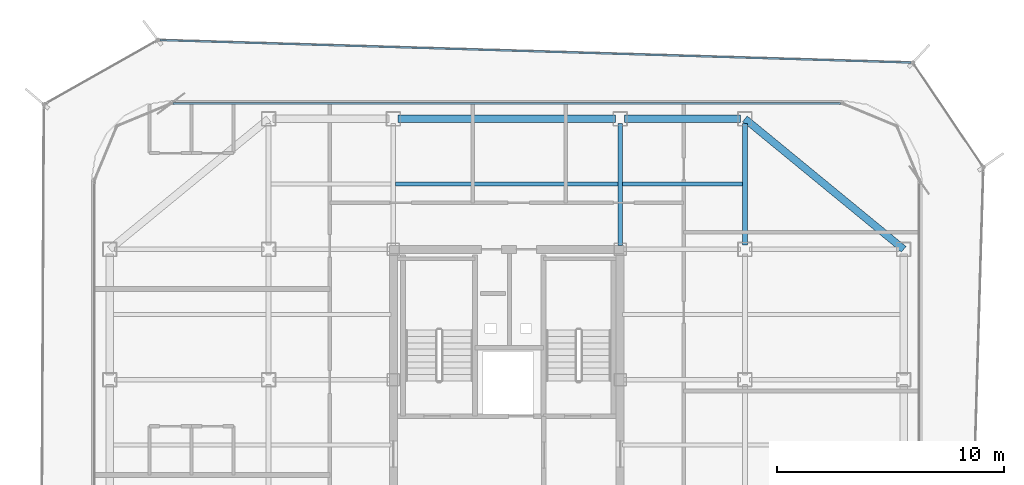
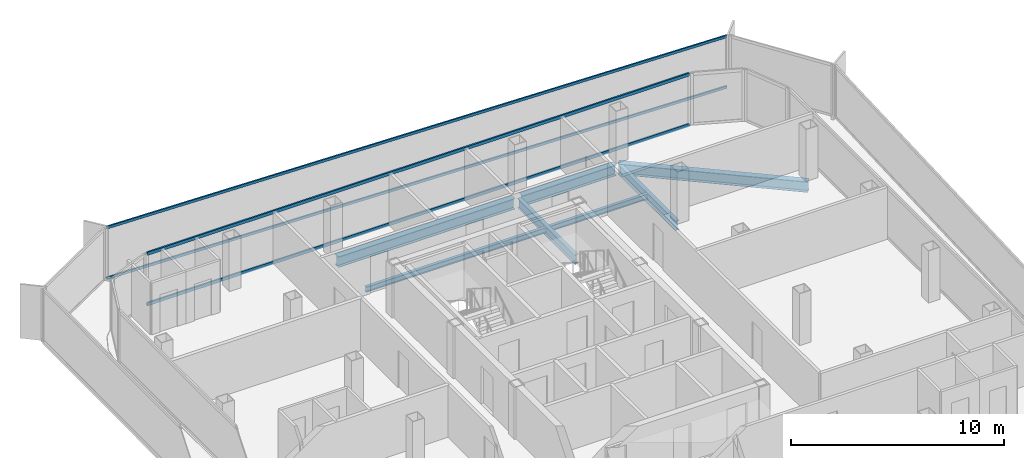
# One storey, part 7 of 15: 7 beams, 4 members, 2 elements without a shape of their own.
"""IFC4 building model written with IfcOpenShell, lengths in metres."""

from ifc_helpers import new_model, si_unit, direction, frame, origin, origin_2d, place, context, subcontext, project, spatial, hollow_rectangle, i_section, extrude, source, transform, mapped, material, layer, layer_set, material_profile, profile_set, type_object, element, aggregate, save


model = new_model("IFC4")

# Units and contexts
model_context = context("Model", 3, precision=1e-05, world=origin(), true_north=direction((0.0, 1.0)))
body_context = subcontext(model_context, "Body", "Model", "MODEL_VIEW")
ifc_project = project(units=[si_unit("LENGTHUNIT", "METRE"), si_unit("AREAUNIT", "SQUARE_METRE"), si_unit("VOLUMEUNIT", "CUBIC_METRE"), si_unit("PLANEANGLEUNIT", "RADIAN"), si_unit("MASSUNIT", "GRAM", prefix="KILO")], contexts=[model_context])

# Site, building, storey
site_placement = place(None, origin())
site = spatial("IfcSite", under=ifc_project, at=site_placement, CompositionType="ELEMENT")
building_placement = place(site_placement, origin())
building = spatial("IfcBuilding", under=site, at=building_placement, Name="Kolveth Station Tower", CompositionType="ELEMENT")
storey_placement = place(building_placement, frame((0.0, 0.0, 258.5)))
storey = spatial("IfcBuildingStorey", under=building, at=storey_placement, Name="L74", CompositionType="ELEMENT", Elevation=258.5)

# Beams
ifc_material_1 = material(Name="Steel S355", Category="steel")
ifc_material_profile_1 = material_profile(ifc_material_1, i_section(OverallWidth=0.323974609375, OverallDepth=0.611083984375, WebThickness=0.0126953125, FlangeThickness=0.01904296875, at=origin_2d()), Name="W610x155")
ifc_profile_set_1 = profile_set([ifc_material_profile_1], Name="Steel S355")
beam_type_1 = type_object("IfcBeamType", Name="Beam_SP2", PredefinedType="SPANDREL", material=ifc_profile_set_1)
shared_shape_1 = source(origin(), body_context, "Body", "SweptSolid", [
    extrude(i_section(OverallWidth=0.323974609375, OverallDepth=0.611083984375, WebThickness=0.0126953125, FlangeThickness=0.01904296875, at=origin_2d()), origin(), (0.0, 0.0, 1.0), 9.058837890625),
])
beam_1_placement = place(storey_placement, frame((41.0, 28.75, -0.525390625), z_axis=(-0.772726254525, 0.63473942336, 0.0), x_axis=(-0.63473942336, -0.772726254525, 0.0)))
element("IfcBeam", 1, at=beam_1_placement, inside=storey, type_object=beam_type_1, Name="L74 Corner Edge Girder BM-L74-CNR-NE", PredefinedType="SPANDREL", context=body_context, shape_type="MappedRepresentation", body=[
    mapped(shared_shape_1, transform((0.0, 0.0, 0.0), x_axis=(1.0, 0.0, 0.0), y_axis=(0.0, 1.0, 0.0), z_axis=(0.0, 0.0, 1.0), scale=1.0)),
])
shared_shape_2 = source(origin(), body_context, "Body", "SweptSolid", [
    extrude(i_section(OverallWidth=0.323974609375, OverallDepth=0.611083984375, WebThickness=0.0126953125, FlangeThickness=0.01904296875, at=origin_2d()), origin(), (0.0, 0.0, 1.0), 5.10009765625),
])
beam_2_placement = place(storey_placement, frame((28.699951171875, 34.5, -0.525390625), z_axis=(1.0, 0.0, 0.0), x_axis=(0.0, 1.0, 0.0)))
element("IfcBeam", 2, at=beam_2_placement, inside=storey, type_object=beam_type_1, Name="L74 Perimeter Spandrel BM-L74-PN-3", PredefinedType="SPANDREL", context=body_context, shape_type="MappedRepresentation", body=[
    mapped(shared_shape_2, transform((0.0, 0.0, 0.0), x_axis=(1.0, 0.0, 0.0), y_axis=(0.0, 1.0, 0.0), z_axis=(0.0, 0.0, 1.0), scale=1.0)),
])
shared_shape_3 = source(origin(), body_context, "Body", "SweptSolid", [
    extrude(i_section(OverallWidth=0.323974609375, OverallDepth=0.611083984375, WebThickness=0.0126953125, FlangeThickness=0.01904296875, at=origin_2d()), origin(), (0.0, 0.0, 1.0), 9.60009765625),
])
beam_3_placement = place(storey_placement, frame((18.699951171875, 34.5, -0.525390625), z_axis=(1.0, 0.0, 0.0), x_axis=(0.0, 1.0, 0.0)))
element("IfcBeam", 3, at=beam_3_placement, inside=storey, type_object=beam_type_1, Name="L74 Perimeter Spandrel BM-L74-PN-2", PredefinedType="SPANDREL", context=body_context, shape_type="MappedRepresentation", body=[
    mapped(shared_shape_3, transform((0.0, 0.0, 0.0), x_axis=(1.0, 0.0, 0.0), y_axis=(0.0, 1.0, 0.0), z_axis=(0.0, 0.0, 1.0), scale=1.0)),
])
ifc_material_profile_2 = material_profile(ifc_material_1, i_section(OverallWidth=0.2099609375, OverallDepth=0.537109375, WebThickness=0.010986328125, FlangeThickness=0.017333984375, at=origin_2d()), Name="W530x101")
ifc_profile_set_2 = profile_set([ifc_material_profile_2], Name="Steel S355")
beam_type_2 = type_object("IfcBeamType", Name="Beam_B6", PredefinedType="BEAM", material=ifc_profile_set_2)
shared_shape_4 = source(origin(), body_context, "Body", "SweptSolid", [
    extrude(i_section(OverallWidth=0.2099609375, OverallDepth=0.537109375, WebThickness=0.010986328125, FlangeThickness=0.017333984375, at=origin_2d()), origin(), (0.0, 0.0, 1.0), 5.35009765625),
])
beam_4_placement = place(storey_placement, frame((34.0, 28.949951171875, -0.488525390625), z_axis=(0.0, 1.0, 0.0), x_axis=(-1.0, 0.0, 0.0)))
element("IfcBeam", 4, at=beam_4_placement, inside=storey, type_object=beam_type_2, Name="L74 Primary Girder BM-L74-GX340-6", PredefinedType="BEAM", context=body_context, shape_type="MappedRepresentation", body=[
    mapped(shared_shape_4, transform((0.0, 0.0, 0.0), x_axis=(1.0, 0.0, 0.0), y_axis=(0.0, 1.0, 0.0), z_axis=(0.0, 0.0, 1.0), scale=1.0)),
])
shared_shape_5 = source(origin(), body_context, "Body", "SweptSolid", [
    extrude(i_section(OverallWidth=0.2099609375, OverallDepth=0.537109375, WebThickness=0.010986328125, FlangeThickness=0.017333984375, at=origin_2d()), origin(), (0.0, 0.0, 1.0), 5.39013671875),
])
beam_5_placement = place(storey_placement, frame((28.5, 28.909912109375, -0.488525390625), z_axis=(0.0, 1.0, 0.0), x_axis=(-1.0, 0.0, 0.0)))
element("IfcBeam", 5, at=beam_5_placement, inside=storey, type_object=beam_type_2, Name="L74 Primary Girder BM-L74-GX285-6", PredefinedType="BEAM", context=body_context, shape_type="MappedRepresentation", body=[
    mapped(shared_shape_5, transform((0.0, 0.0, 0.0), x_axis=(1.0, 0.0, 0.0), y_axis=(0.0, 1.0, 0.0), z_axis=(0.0, 0.0, 1.0), scale=1.0)),
])
ifc_material_profile_3 = material_profile(ifc_material_1, i_section(OverallWidth=0.1650390625, OverallDepth=0.31005859375, WebThickness=0.005859375, FlangeThickness=0.009765625, at=origin_2d()), Name="W310x39")
ifc_profile_set_3 = profile_set([ifc_material_profile_3], Name="Steel S355")
beam_type_3 = type_object("IfcBeamType", Name="Beam_J3", PredefinedType="JOIST", material=ifc_profile_set_3)
shared_shape_6 = source(origin(), body_context, "Body", "SweptSolid", [
    extrude(i_section(OverallWidth=0.1650390625, OverallDepth=0.31005859375, WebThickness=0.005859375, FlangeThickness=0.009765625, at=origin_2d()), origin(), (0.0, 0.0, 1.0), 5.2939453125),
])
beam_6_placement = place(storey_placement, frame((28.60302734375, 31.625, -0.375), z_axis=(1.0, 0.0, 0.0), x_axis=(0.0, 1.0, 0.0)))
element("IfcBeam", 6, at=beam_6_placement, inside=storey, type_object=beam_type_3, Name="L74 Secondary Joist JST-L74-4-6", PredefinedType="JOIST", context=body_context, shape_type="MappedRepresentation", body=[
    mapped(shared_shape_6, transform((0.0, 0.0, 0.0), x_axis=(1.0, 0.0, 0.0), y_axis=(0.0, 1.0, 0.0), z_axis=(0.0, 0.0, 1.0), scale=1.0)),
])
shared_shape_7 = source(origin(), body_context, "Body", "SweptSolid", [
    extrude(i_section(OverallWidth=0.1650390625, OverallDepth=0.31005859375, WebThickness=0.005859375, FlangeThickness=0.009765625, at=origin_2d()), origin(), (0.0, 0.0, 1.0), 9.7939453125),
])
beam_7_placement = place(storey_placement, frame((18.60302734375, 31.625, -0.375), z_axis=(1.0, 0.0, 0.0), x_axis=(0.0, 1.0, 0.0)))
element("IfcBeam", 7, at=beam_7_placement, inside=storey, type_object=beam_type_3, Name="L74 Secondary Joist JST-L74-3-6", PredefinedType="JOIST", context=body_context, shape_type="MappedRepresentation", body=[
    mapped(shared_shape_7, transform((0.0, 0.0, 0.0), x_axis=(1.0, 0.0, 0.0), y_axis=(0.0, 1.0, 0.0), z_axis=(0.0, 0.0, 1.0), scale=1.0)),
])

# Curtain wall, members
ifc_material_2 = material(Name="Aluminium 6063-T6 and triple low-E dark glass", Category="aluminium")
ifc_layer_1 = layer(ifc_material_2, 0.199951171875)
ifc_layer_set_1 = layer_set([ifc_layer_1], Name="Aluminium 6063-T6 and triple low-E dark glass")
curtain_wall_type_1 = type_object("IfcCurtainWallType", Name="CurtainWall_CW-Z3", PredefinedType="NOTDEFINED", material=ifc_layer_set_1)
curtain_wall_1_placement = place(storey_placement, origin())
curtain_wall_1 = element("IfcCurtainWall", 8, at=curtain_wall_1_placement, inside=storey, type_object=curtain_wall_type_1, Name="L74 Inner Thermal Curtain Wall 6", PredefinedType="NOTDEFINED")
ifc_material_3 = material(Name="Black anodized aluminium 6063-T6", Category="aluminium")
ifc_material_profile_4 = material_profile(ifc_material_3, hollow_rectangle(XDim=0.0849609375, YDim=0.179931640625, WallThickness=0.0048828125, at=origin_2d()), Name="ALU-85x180x5")
ifc_profile_set_4 = profile_set([ifc_material_profile_4], Name="Black anodized aluminium 6063-T6")
member_type_1 = type_object("IfcMemberType", Name="Transom_TR3", PredefinedType="USERDEFINED", material=ifc_profile_set_4)
shared_shape_8 = source(origin(), body_context, "Body", "SweptSolid", [
    extrude(hollow_rectangle(XDim=0.0849609375, YDim=0.179931640625, WallThickness=0.0048828125, at=origin_2d()), origin(), (0.0, 0.0, 1.0), 29.43017578125),
])
member_1_placement = place(storey_placement, frame((38.215087890625, 35.179931640625, 0.04248046875), z_axis=(-1.0, 0.0, 0.0), x_axis=(0.0, -1.0, 0.0)))
member_1 = element("IfcMember", 9, at=member_1_placement, type_object=member_type_1, Name="CW-Z3 transom 1.1", ObjectType="TRANSOM", PredefinedType="USERDEFINED", context=body_context, shape_type="MappedRepresentation", body=[
    mapped(shared_shape_8, transform((0.0, 0.0, 0.0), x_axis=(1.0, 0.0, 0.0), y_axis=(0.0, 1.0, 0.0), z_axis=(0.0, 0.0, 1.0), scale=1.0)),
])
member_2_placement = place(storey_placement, frame((38.215087890625, 35.179931640625, 2.9375), z_axis=(-1.0, 0.0, 0.0), x_axis=(0.0, -1.0, 0.0)))
member_2 = element("IfcMember", 10, at=member_2_placement, type_object=member_type_1, Name="CW-Z3 transom 1.2", ObjectType="TRANSOM", PredefinedType="USERDEFINED", context=body_context, shape_type="MappedRepresentation", body=[
    mapped(shared_shape_8, transform((0.0, 0.0, 0.0), x_axis=(1.0, 0.0, 0.0), y_axis=(0.0, 1.0, 0.0), z_axis=(0.0, 0.0, 1.0), scale=1.0)),
])
aggregate(curtain_wall_1, [member_1, member_2])

ifc_material_4 = material(Name="Black anodized aluminium 6063-T6 and dark solar glass", Category="aluminium")
ifc_layer_2 = layer(ifc_material_4, 0.159912109375)
ifc_layer_set_2 = layer_set([ifc_layer_2], Name="Black anodized aluminium 6063-T6 and dark solar glass")
curtain_wall_type_2 = type_object("IfcCurtainWallType", Name="OUTER SKIN CW-OS", PredefinedType="NOTDEFINED", material=ifc_layer_set_2)
curtain_wall_2_placement = place(storey_placement, origin())
curtain_wall_2 = element("IfcCurtainWall", 11, at=curtain_wall_2_placement, inside=storey, type_object=curtain_wall_type_2, Name="L74 Outer Ventilated Skin Curtain Wall 4", PredefinedType="NOTDEFINED")
ifc_material_profile_5 = material_profile(ifc_material_3, hollow_rectangle(XDim=0.080078125, YDim=0.14990234375, WallThickness=0.0048828125, at=origin_2d()), Name="ALU-80x150x5")
ifc_profile_set_5 = profile_set([ifc_material_profile_5], Name="Black anodized aluminium 6063-T6")
member_type_2 = type_object("IfcMemberType", Name="Transom_TR-OS", PredefinedType="USERDEFINED", material=ifc_profile_set_5)
shared_shape_9 = source(origin(), body_context, "Body", "SweptSolid", [
    extrude(hollow_rectangle(XDim=0.080078125, YDim=0.14990234375, WallThickness=0.0048828125, at=origin_2d()), origin(), (0.0, 0.0, 1.0), 33.114990234375),
])
member_3_placement = place(storey_placement, frame((41.31396484375, 36.9794921875, 0.0400390625), z_axis=(-0.999551703424, 0.029939809317, 0.0), x_axis=(-0.029939809317, -0.999551703424, 0.0)))
member_3 = element("IfcMember", 12, at=member_3_placement, type_object=member_type_2, Name="CW-OS transom 1.1", ObjectType="TRANSOM", PredefinedType="USERDEFINED", context=body_context, shape_type="MappedRepresentation", body=[
    mapped(shared_shape_9, transform((0.0, 0.0, 0.0), x_axis=(1.0, 0.0, 0.0), y_axis=(0.0, 1.0, 0.0), z_axis=(0.0, 0.0, 1.0), scale=1.0)),
])
member_4_placement = place(storey_placement, frame((41.31396484375, 36.9794921875, 2.949951171875), z_axis=(-0.999551703424, 0.029939809317, 0.0), x_axis=(-0.029939809317, -0.999551703424, 0.0)))
member_4 = element("IfcMember", 13, at=member_4_placement, type_object=member_type_2, Name="CW-OS transom 1.2", ObjectType="TRANSOM", PredefinedType="USERDEFINED", context=body_context, shape_type="MappedRepresentation", body=[
    mapped(shared_shape_9, transform((0.0, 0.0, 0.0), x_axis=(1.0, 0.0, 0.0), y_axis=(0.0, 1.0, 0.0), z_axis=(0.0, 0.0, 1.0), scale=1.0)),
])
aggregate(curtain_wall_2, [member_3, member_4])

save(model, "model.ifc")
